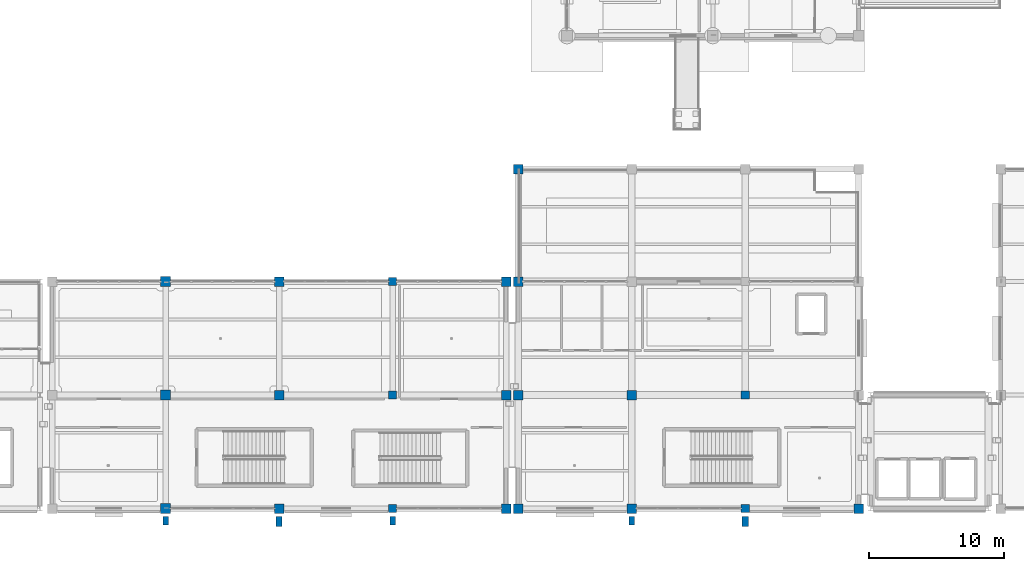
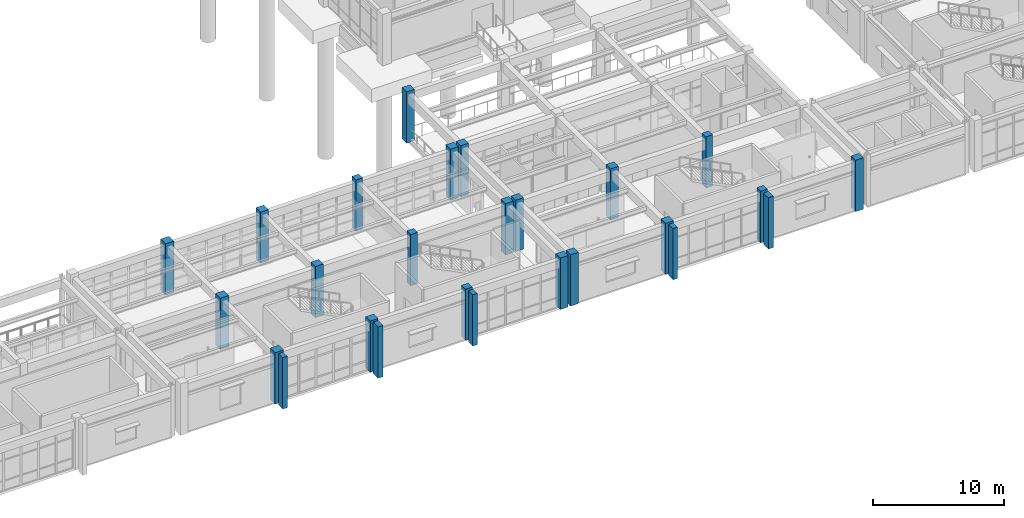
# One storey, part 3 of 98: 26 columns.
"""IFC4 building model written with IfcOpenShell, lengths in metres."""

from ifc_helpers import new_model, si_unit, direction, frame, origin, origin_2d, place, context, subcontext, project, spatial, rectangle, extrude, material, material_profile, profile_set, type_object, element, save


model = new_model("IFC4")

# Units and contexts
model_context = context("Model", 3, precision=1e-05, world=origin(), true_north=direction((0.0, 1.0)))
body_context = subcontext(model_context, "Body", "Model", "MODEL_VIEW")
ifc_project = project(units=[si_unit("LENGTHUNIT", "METRE"), si_unit("AREAUNIT", "SQUARE_METRE"), si_unit("VOLUMEUNIT", "CUBIC_METRE"), si_unit("PLANEANGLEUNIT", "RADIAN"), si_unit("MASSUNIT", "GRAM", prefix="KILO")], contexts=[model_context])

# Site, building, storey
site_placement = place(None, origin())
site = spatial("IfcSite", under=ifc_project, at=site_placement, CompositionType="ELEMENT")
building_placement = place(site_placement, origin())
building = spatial("IfcBuilding", under=site, at=building_placement, Name="Canglan Escarpment Cableway Terminal", CompositionType="ELEMENT")
storey_placement = place(building_placement, frame((0.0, 0.0, 9.60009765625)))
storey = spatial("IfcBuildingStorey", under=building, at=storey_placement, Name="L02", CompositionType="ELEMENT", Elevation=9.60009765625)

# Columns
ifc_material = material(Name="Concrete C40", Category="concrete")
ifc_material_profile_1 = material_profile(ifc_material, rectangle(XDim=0.60009765625, YDim=0.60009765625, at=origin_2d()), Name="RC 600x600")
ifc_profile_set_1 = profile_set([ifc_material_profile_1], Name="Concrete C40")
column_type_1 = type_object("IfcColumnType", Name="COL-RC600-C40", PredefinedType="COLUMN", material=ifc_profile_set_1)
for number, where, z_axis, x_axis, name in (
    (1, (102.199951171875, 8.0, 0.0), (0.0, 0.0, 1.0), (1.0, 0.0, 0.0), "Structural column C-05"),
    (2, (102.199951171875, 16.39990234375, 0.0), (0.0, 0.0, 1.0), (1.0, 0.0, 0.0), "Structural column C-05"),
    (3, (102.199951171875, 24.800048828125, 0.0), (0.0, 0.0, 1.0), (1.0, 0.0, 0.0), "Structural column C-05"),
    (4, (128.300048828125, 8.0, 0.0), (0.0, 0.0, 1.0), (1.0, 0.0, 0.0), "Structural column C-05"),
    (5, (128.300048828125, 16.39990234375, 0.0), (0.0, 0.0, 1.0), (1.0, 0.0, 0.0), "Structural column C-05"),
):
    element("IfcColumn", number, at=place(storey_placement, frame(where, z_axis=z_axis, x_axis=x_axis)), inside=storey, type_object=column_type_1, Name=name, PredefinedType="COLUMN", context=body_context, shape_type="SweptSolid", body=[
        extrude(rectangle(XDim=0.60009765625, YDim=0.60009765625, at=origin_2d()), origin(), (0.0, 0.0, 1.0), 4.7998046875),
    ])
ifc_material_profile_2 = material_profile(ifc_material, rectangle(XDim=0.699951171875, YDim=0.699951171875, at=origin_2d()), Name="RC 700x700")
ifc_profile_set_2 = profile_set([ifc_material_profile_2], Name="Concrete C40")
column_type_2 = type_object("IfcColumnType", Name="COL-RC700-C40", PredefinedType="COLUMN", material=ifc_profile_set_2)
for number, where, z_axis, x_axis, name in (
    (6, (93.800048828125, 8.0, 0.0), (0.0, 0.0, 1.0), (1.0, 0.0, 0.0), "Structural column C-04"),
    (7, (93.800048828125, 16.39990234375, 0.0), (0.0, 0.0, 1.0), (1.0, 0.0, 0.0), "Structural column C-04"),
    (8, (93.800048828125, 24.800048828125, 0.0), (0.0, 0.0, 1.0), (1.0, 0.0, 0.0), "Structural column C-04"),
    (9, (110.60009765625, 8.0, 0.0), (0.0, 0.0, 1.0), (1.0, 0.0, 0.0), "Structural column C-04"),
    (10, (110.60009765625, 16.39990234375, 0.0), (0.0, 0.0, 1.0), (1.0, 0.0, 0.0), "Structural column C-04"),
    (11, (110.60009765625, 24.800048828125, 0.0), (0.0, 0.0, 1.0), (1.0, 0.0, 0.0), "Structural column C-04"),
    (12, (111.5, 8.0, 0.0), (0.0, 0.0, 1.0), (1.0, 0.0, 0.0), "Structural column C-04"),
    (13, (111.5, 16.39990234375, 0.0), (0.0, 0.0, 1.0), (1.0, 0.0, 0.0), "Structural column C-04"),
    (14, (111.5, 24.800048828125, 0.0), (0.0, 0.0, 1.0), (1.0, 0.0, 0.0), "Structural column C-04"),
    (15, (111.5, 33.10009765625, 0.0), (0.0, 0.0, 1.0), (1.0, 0.0, 0.0), "Structural column C-04"),
    (16, (119.89990234375, 8.0, 0.0), (0.0, 0.0, 1.0), (1.0, 0.0, 0.0), "Structural column C-04"),
    (17, (119.89990234375, 16.39990234375, 0.0), (0.0, 0.0, 1.0), (1.0, 0.0, 0.0), "Structural column C-04"),
    (18, (136.699951171875, 8.0, 0.0), (0.0, 0.0, 1.0), (1.0, 0.0, 0.0), "Structural column C-04"),
):
    element("IfcColumn", number, at=place(storey_placement, frame(where, z_axis=z_axis, x_axis=x_axis)), inside=storey, type_object=column_type_2, Name=name, PredefinedType="COLUMN", context=body_context, shape_type="SweptSolid", body=[
        extrude(rectangle(XDim=0.699951171875, YDim=0.699951171875, at=origin_2d()), origin(), (0.0, 0.0, 1.0), 4.7998046875),
    ])
ifc_material_profile_3 = material_profile(ifc_material, rectangle(XDim=0.75, YDim=0.75, at=origin_2d()), Name="RC 750x750")
ifc_profile_set_3 = profile_set([ifc_material_profile_3], Name="Concrete C40")
column_type_3 = type_object("IfcColumnType", Name="COL-RC750-C40", PredefinedType="COLUMN", material=ifc_profile_set_3)
for number, where, z_axis, x_axis, name in (
    (19, (85.39990234375, 8.0, 0.0), (0.0, 0.0, 1.0), (1.0, 0.0, 0.0), "Structural column C-03"),
    (20, (85.39990234375, 16.39990234375, 0.0), (0.0, 0.0, 1.0), (1.0, 0.0, 0.0), "Structural column C-03"),
    (21, (85.39990234375, 24.800048828125, 0.0), (0.0, 0.0, 1.0), (1.0, 0.0, 0.0), "Structural column C-03"),
):
    element("IfcColumn", number, at=place(storey_placement, frame(where, z_axis=z_axis, x_axis=x_axis)), inside=storey, type_object=column_type_3, Name=name, PredefinedType="COLUMN", context=body_context, shape_type="SweptSolid", body=[
        extrude(rectangle(XDim=0.75, YDim=0.75, at=origin_2d()), origin(), (0.0, 0.0, 1.0), 4.7998046875),
    ])
ifc_material_profile_4 = material_profile(ifc_material, rectangle(XDim=0.39990234375, YDim=0.64990234375, at=origin_2d()), Name="RC-PIL 400x650")
ifc_profile_set_4 = profile_set([ifc_material_profile_4], Name="Concrete C40")
column_type_4 = type_object("IfcColumnType", Name="PIL-RC400x650", PredefinedType="PILASTER", material=ifc_profile_set_4)
for number, where, z_axis, x_axis, name in (
    (22, (85.39990234375, 7.094970703125, 0.0), (0.0, 0.0, 1.0), (1.0, 0.0, 0.0), "Neoclassical engaged pilaster PL-02"),
    (23, (102.199951171875, 7.094970703125, 0.0), (0.0, 0.0, 1.0), (1.0, 0.0, 0.0), "Neoclassical engaged pilaster PL-02"),
    (24, (119.89990234375, 7.094970703125, 0.0), (0.0, 0.0, 1.0), (1.0, 0.0, 0.0), "Neoclassical engaged pilaster PL-02"),
):
    element("IfcColumn", number, at=place(storey_placement, frame(where, z_axis=z_axis, x_axis=x_axis)), inside=storey, type_object=column_type_4, Name=name, PredefinedType="PILASTER", context=body_context, shape_type="SweptSolid", body=[
        extrude(rectangle(XDim=0.39990234375, YDim=0.64990234375, at=origin_2d()), origin(), (0.0, 0.0, 1.0), 4.7998046875),
    ])
ifc_material_profile_5 = material_profile(ifc_material, rectangle(XDim=0.449951171875, YDim=0.75, at=origin_2d()), Name="RC-PIL 450x750")
ifc_profile_set_5 = profile_set([ifc_material_profile_5], Name="Concrete C40")
column_type_5 = type_object("IfcColumnType", Name="PIL-RC450x750", PredefinedType="PILASTER", material=ifc_profile_set_5)
for number, where, z_axis, x_axis, name in (
    (25, (93.800048828125, 7.044921875, 0.0), (0.0, 0.0, 1.0), (1.0, 0.0, 0.0), "Neoclassical engaged pilaster PL-01"),
    (26, (128.300048828125, 7.044921875, 0.0), (0.0, 0.0, 1.0), (1.0, 0.0, 0.0), "Neoclassical engaged pilaster PL-01"),
):
    element("IfcColumn", number, at=place(storey_placement, frame(where, z_axis=z_axis, x_axis=x_axis)), inside=storey, type_object=column_type_5, Name=name, PredefinedType="PILASTER", context=body_context, shape_type="SweptSolid", body=[
        extrude(rectangle(XDim=0.449951171875, YDim=0.75, at=origin_2d()), origin(), (0.0, 0.0, 1.0), 4.7998046875),
    ])

save(model, "model.ifc")
